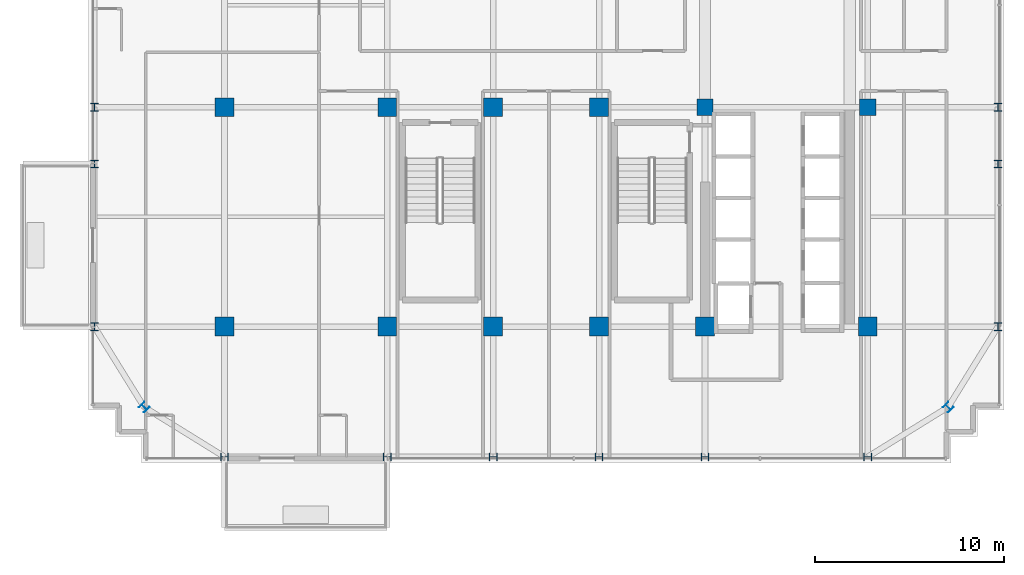
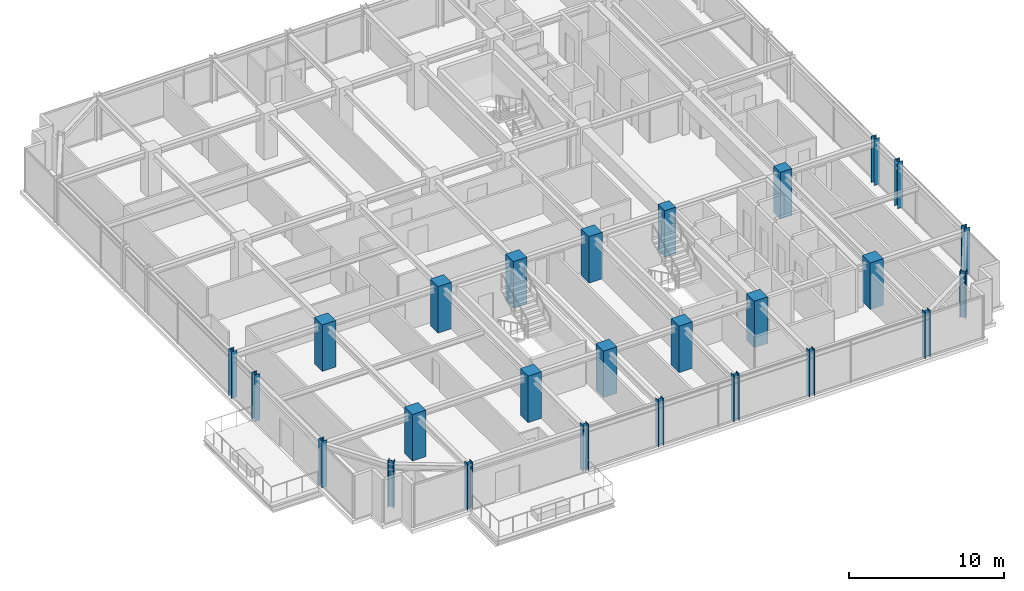
# One storey, part 1 of 35: 26 columns.
"""IFC4 building model written with IfcOpenShell, lengths in metres."""

from ifc_helpers import new_model, si_unit, direction, frame, origin, origin_2d, place, context, subcontext, project, spatial, rectangle, i_section, extrude, source, transform, mapped, material, material_profile, profile_set, type_object, element, save


model = new_model("IFC4")

# Units and contexts
model_context = context("Model", 3, precision=1e-05, world=origin(), true_north=direction((0.0, 1.0)))
body_context = subcontext(model_context, "Body", "Model", "MODEL_VIEW")
ifc_project = project(units=[si_unit("LENGTHUNIT", "METRE"), si_unit("AREAUNIT", "SQUARE_METRE"), si_unit("VOLUMEUNIT", "CUBIC_METRE"), si_unit("PLANEANGLEUNIT", "RADIAN"), si_unit("MASSUNIT", "GRAM", prefix="KILO")], contexts=[model_context])

# Site, building, storey
site_placement = place(None, origin())
site = spatial("IfcSite", under=ifc_project, at=site_placement, CompositionType="ELEMENT")
building_placement = place(site_placement, origin())
building = spatial("IfcBuilding", under=site, at=building_placement, Name="Nahalor Promenade Grand Hotel", CompositionType="ELEMENT")
storey_placement = place(building_placement, frame((0.0, 0.0, 245.60009765625)))
storey = spatial("IfcBuildingStorey", under=building, at=storey_placement, Name="L63", CompositionType="ELEMENT", Elevation=245.60009765625)

# Columns
ifc_material_1 = material(Name="Concrete B-60 (C50/60)", Category="concrete")
ifc_material_profile_1 = material_profile(ifc_material_1, rectangle(XDim=1.0, YDim=1.0, at=origin_2d()), Name="RC 1000x1000")
ifc_profile_set_1 = profile_set([ifc_material_profile_1], Name="Concrete B-60 (C50/60)")
column_type_1 = type_object("IfcColumnType", Name="Col-RC-1000", PredefinedType="COLUMN", material=ifc_profile_set_1)
shared_shape_1 = source(origin(), body_context, "Body", "SweptSolid", [
    extrude(rectangle(XDim=1.0, YDim=1.0, at=origin_2d()), origin(), (0.0, 0.0, 1.0), 3.65478515625),
])
for number, where, z_axis, x_axis, name in (
    (1, (-17.0, -17.0, 0.0), (0.0, 0.0, 1.0), (1.0, 0.0, 0.0), "COL-L63-I00"),
    (2, (-17.0, -5.39990234375, 0.0), (0.0, 0.0, 1.0), (1.0, 0.0, 0.0), "COL-L63-I01"),
    (3, (-8.39990234375, -17.0, 0.0), (0.0, 0.0, 1.0), (1.0, 0.0, 0.0), "COL-L63-I10"),
    (4, (-8.39990234375, -5.39990234375, 0.0), (0.0, 0.0, 1.0), (1.0, 0.0, 0.0), "COL-L63-I11"),
    (5, (-2.800048828125, -17.0, 0.0), (0.0, 0.0, 1.0), (1.0, 0.0, 0.0), "COL-L63-I20"),
    (6, (-2.800048828125, -5.39990234375, 0.0), (0.0, 0.0, 1.0), (1.0, 0.0, 0.0), "COL-L63-I21"),
    (7, (2.800048828125, -17.0, 0.0), (0.0, 0.0, 1.0), (1.0, 0.0, 0.0), "COL-L63-I30"),
    (8, (2.800048828125, -5.39990234375, 0.0), (0.0, 0.0, 1.0), (1.0, 0.0, 0.0), "COL-L63-I31"),
    (9, (8.39990234375, -17.0, 0.0), (0.0, 0.0, 1.0), (1.0, 0.0, 0.0), "COL-L63-I40"),
    (10, (17.0, -17.0, 0.0), (0.0, 0.0, 1.0), (1.0, 0.0, 0.0), "COL-L63-I50"),
):
    element("IfcColumn", number, at=place(storey_placement, frame(where, z_axis=z_axis, x_axis=x_axis)), inside=storey, type_object=column_type_1, Name=name, PredefinedType="COLUMN", context=body_context, shape_type="MappedRepresentation", body=[
        mapped(shared_shape_1, transform((0.0, 0.0, 0.0), scale=1.0)),
    ])
ifc_material_2 = material(Name="Concrete B-70 (C60/75)", Category="concrete")
ifc_material_profile_2 = material_profile(ifc_material_2, rectangle(XDim=0.85, YDim=0.85, at=origin_2d()), Name="RC 850x850")
ifc_profile_set_2 = profile_set([ifc_material_profile_2], Name="Concrete B-70 (C60/75)")
column_type_2 = type_object("IfcColumnType", Name="Col-Pilaster-850", PredefinedType="PILASTER", material=ifc_profile_set_2)
shared_shape_2 = source(origin(), body_context, "Body", "SweptSolid", [
    extrude(rectangle(XDim=0.85, YDim=0.85, at=origin_2d()), origin(), (0.0, 0.0, 1.0), 3.65478515625),
])
for number, where, z_axis, x_axis, name in (
    (11, (8.39990234375, -5.39990234375, 0.0), (0.0, 0.0, 1.0), (1.0, 0.0, 0.0), "COL-L63-I41"),
    (12, (17.0, -5.39990234375, 0.0), (0.0, 0.0, 1.0), (1.0, 0.0, 0.0), "COL-L63-I51"),
):
    element("IfcColumn", number, at=place(storey_placement, frame(where, z_axis=z_axis, x_axis=x_axis)), inside=storey, type_object=column_type_2, Name=name, PredefinedType="PILASTER", context=body_context, shape_type="MappedRepresentation", body=[
        mapped(shared_shape_2, transform((0.0, 0.0, 0.0), scale=1.0)),
    ])
ifc_material_3 = material(Name="Steel S355JR", Category="steel")
ifc_material_profile_3 = material_profile(ifc_material_3, i_section(OverallWidth=0.401, OverallDepth=0.406, WebThickness=0.0161, FlangeThickness=0.025, at=origin_2d()), Name="HD 400x314")
ifc_profile_set_3 = profile_set([ifc_material_profile_3], Name="Steel S355JR")
column_type_3 = type_object("IfcColumnType", Name="Col-Steel-HD314", PredefinedType="COLUMN", material=ifc_profile_set_3)
shared_shape_3 = source(origin(), body_context, "Body", "SweptSolid", [
    extrude(i_section(OverallWidth=0.401, OverallDepth=0.406, WebThickness=0.0161, FlangeThickness=0.025, at=origin_2d()), origin(), (0.0, 0.0, 1.0), 3.65478515625),
])
for number, where, z_axis, x_axis, name in (
    (13, (-23.8798828125, -17.0, 0.0), (0.0, 0.0, 1.0), (1.0, 0.0, 0.0), "COL-L63-PW-W0"),
    (14, (23.8798828125, -17.0, 0.0), (0.0, 0.0, 1.0), (1.0, 0.0, 0.0), "COL-L63-PW-E0"),
    (15, (-23.8798828125, -8.39990234375, 0.0), (0.0, 0.0, 1.0), (1.0, 0.0, 0.0), "COL-L63-PW-W1"),
    (16, (23.8798828125, -8.39990234375, 0.0), (0.0, 0.0, 1.0), (1.0, 0.0, 0.0), "COL-L63-PW-E1"),
    (17, (-23.8798828125, -5.39990234375, 0.0), (0.0, 0.0, 1.0), (1.0, 0.0, 0.0), "COL-L63-PW-W2"),
    (18, (23.8798828125, -5.39990234375, 0.0), (0.0, 0.0, 1.0), (1.0, 0.0, 0.0), "COL-L63-PW-E2"),
    (19, (-17.0, -23.8798828125, 0.0), (0.0, 0.0, 1.0), (0.0, 1.0, 0.0), "COL-L63-PN-S0"),
    (20, (-8.39990234375, -23.8798828125, 0.0), (0.0, 0.0, 1.0), (0.0, 1.0, 0.0), "COL-L63-PN-S1"),
    (21, (-2.800048828125, -23.8798828125, 0.0), (0.0, 0.0, 1.0), (0.0, 1.0, 0.0), "COL-L63-PN-S2"),
    (22, (2.800048828125, -23.8798828125, 0.0), (0.0, 0.0, 1.0), (0.0, 1.0, 0.0), "COL-L63-PN-S3"),
    (23, (8.39990234375, -23.8798828125, 0.0), (0.0, 0.0, 1.0), (0.0, 1.0, 0.0), "COL-L63-PN-S4"),
    (24, (17.0, -23.8798828125, 0.0), (0.0, 0.0, 1.0), (0.0, 1.0, 0.0), "COL-L63-PN-S5"),
    (25, (-21.25, -21.25, 0.0), (0.0, 0.0, 1.0), (0.707106781187, 0.707106781187, 0.0), "COL-L63-CRN-SW"),
    (26, (21.25, -21.25, 0.0), (0.0, 0.0, 1.0), (0.707106781187, 0.707106781187, 0.0), "COL-L63-CRN-SE"),
):
    element("IfcColumn", number, at=place(storey_placement, frame(where, z_axis=z_axis, x_axis=x_axis)), inside=storey, type_object=column_type_3, Name=name, PredefinedType="COLUMN", context=body_context, shape_type="MappedRepresentation", body=[
        mapped(shared_shape_3, transform((0.0, 0.0, 0.0), scale=1.0)),
    ])

save(model, "model.ifc")
